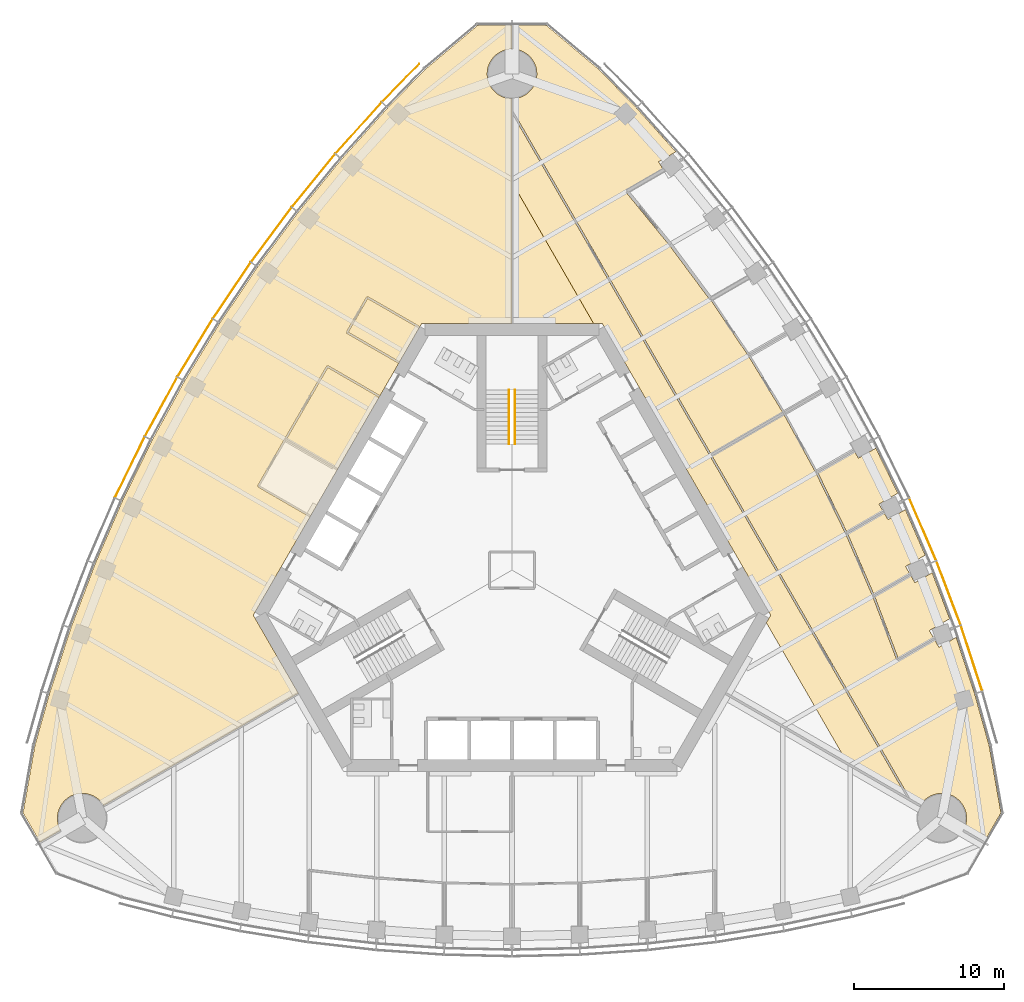
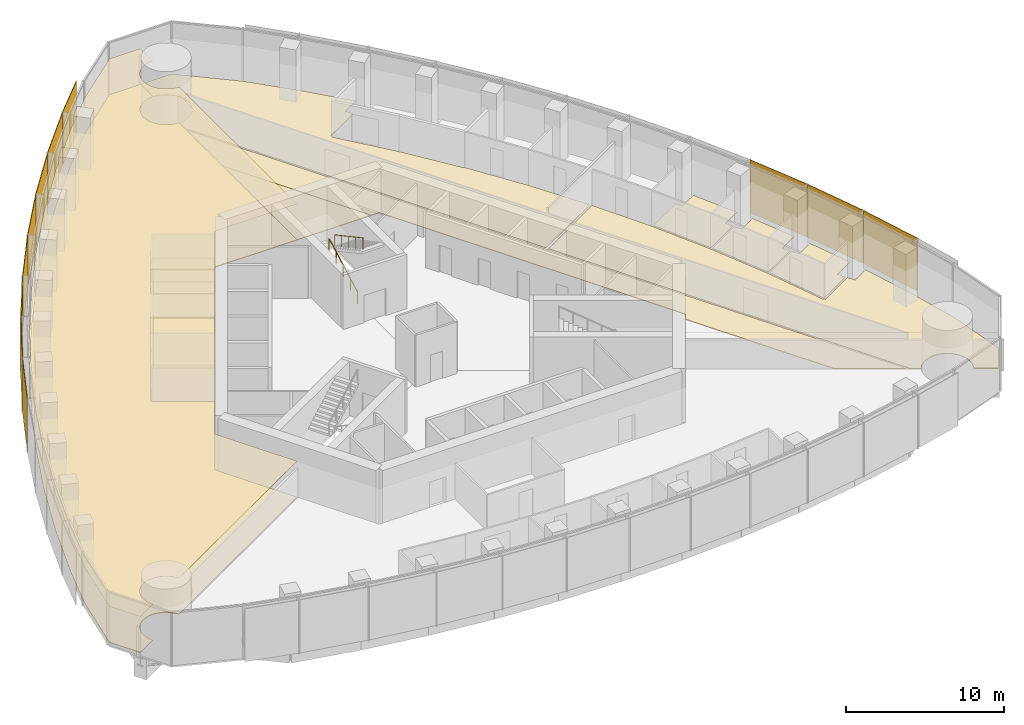
# One storey, part 17 of 20: 11 coverings, 11 shading devices, 2 railings.
"""IFC4 building model written with IfcOpenShell, lengths in metres."""

from ifc_helpers import new_model, si_unit, direction, frame, origin, origin_2d, place, context, subcontext, project, spatial, polyline, rectangle, circle, outline, extrude, material, layer, layer_set, type_object, element, save


model = new_model("IFC4")

# Units and contexts
model_context = context("Model", 3, precision=1e-05, world=origin(), true_north=direction((0.0, 1.0)))
body_context = subcontext(model_context, "Body", "Model", "MODEL_VIEW")
ifc_project = project(units=[si_unit("LENGTHUNIT", "METRE"), si_unit("AREAUNIT", "SQUARE_METRE"), si_unit("VOLUMEUNIT", "CUBIC_METRE"), si_unit("PLANEANGLEUNIT", "RADIAN"), si_unit("MASSUNIT", "GRAM", prefix="KILO")], contexts=[model_context])

# Site, building, storey
site_placement = place(None, origin())
site = spatial("IfcSite", under=ifc_project, at=site_placement, CompositionType="ELEMENT")
building_placement = place(site_placement, origin())
building = spatial("IfcBuilding", under=site, at=building_placement, Name="Trefoil Bronze Tower", CompositionType="ELEMENT")
storey_placement = place(building_placement, frame((0.0, 0.0, 210.699951171875)))
storey = spatial("IfcBuildingStorey", under=building, at=storey_placement, Name="L48", CompositionType="ELEMENT", Elevation=210.699951171875)

# Shading devices
ifc_material_1 = material(Name="Perforated bronze sheet", Category="bronze")
ifc_layer_1 = layer(ifc_material_1, 0.0400390625)
ifc_layer_set_1 = layer_set([ifc_layer_1], Name="Bronze solar screen panel")
shading_device_type = type_object("IfcShadingDeviceType", Name="Bronze solar screen panel", PredefinedType="SHUTTER", material=ifc_layer_set_1)
shading_device_1_placement = place(storey_placement, frame((30.5634765625, -5.86572265625, 0.050048828125), z_axis=(0.0, 0.0, 1.0), x_axis=(-0.310148591821, 0.950688093431, 0.0)))
element("IfcShadingDevice", 1, at=shading_device_1_placement, inside=storey, type_object=shading_device_type, Name="Solar screen CW-A L48 F2 bay 2", PredefinedType="SHUTTER", context=body_context, shape_type="SweptSolid", body=[
    extrude(rectangle(XDim=4.5693359375, YDim=0.0400390625, at=origin_2d()), origin(), (0.0, 0.0, 1.0), 4.10009765625),
])
shading_device_2_placement = place(storey_placement, frame((29.0341796875, -1.52392578125, 0.050048828125), z_axis=(0.0, 0.0, 1.0), x_axis=(-0.354233936517, 0.935156841508, 0.0)))
element("IfcShadingDevice", 2, at=shading_device_2_placement, inside=storey, type_object=shading_device_type, Name="Solar screen CW-A L48 F2 bay 3", PredefinedType="SHUTTER", context=body_context, shape_type="SweptSolid", body=[
    extrude(rectangle(XDim=4.529296875, YDim=0.0400390625, at=origin_2d()), origin(), (0.0, 0.0, 1.0), 4.10009765625),
])
shading_device_3_placement = place(storey_placement, frame((27.317626953125, 2.709716796875, 0.050048828125), z_axis=(0.0, 0.0, 1.0), x_axis=(-0.397220305764, 0.917723285467, 0.0)))
element("IfcShadingDevice", 3, at=shading_device_3_placement, inside=storey, type_object=shading_device_type, Name="Solar screen CW-A L48 F2 bay 4", PredefinedType="SHUTTER", context=body_context, shape_type="SweptSolid", body=[
    extrude(rectangle(XDim=4.5, YDim=0.0400390625, at=origin_2d()), origin(), (0.0, 0.0, 1.0), 4.10009765625),
])
shading_device_4_placement = place(storey_placement, frame((-7.40478515625, 32.40380859375, 0.050048828125), z_axis=(0.0, 0.0, 1.0), x_axis=(-0.698651812425, -0.715461840349, 0.0)))
element("IfcShadingDevice", 4, at=shading_device_4_placement, inside=storey, type_object=shading_device_type, Name="Solar screen CW-A L48 F3 bay 1", PredefinedType="SHUTTER", context=body_context, shape_type="SweptSolid", body=[
    extrude(rectangle(XDim=3.53369140625, YDim=0.0400390625, at=origin_2d()), origin(), (0.0, 0.0, 1.0), 4.10009765625),
])
shading_device_5_placement = place(storey_placement, frame((-10.20166015625, 29.401611328125, 0.050048828125), z_axis=(0.0, 0.0, 1.0), x_axis=(-0.668245744076, -0.743940606181, 0.0)))
element("IfcShadingDevice", 5, at=shading_device_5_placement, inside=storey, type_object=shading_device_type, Name="Solar screen CW-A L48 F3 bay 2", PredefinedType="SHUTTER", context=body_context, shape_type="SweptSolid", body=[
    extrude(rectangle(XDim=4.5693359375, YDim=0.0400390625, at=origin_2d()), origin(), (0.0, 0.0, 1.0), 4.10009765625),
])
shading_device_6_placement = place(storey_placement, frame((-13.197509765625, 25.90625, 0.050048828125), z_axis=(0.0, 0.0, 1.0), x_axis=(-0.63275261301, -0.774354008661, 0.0)))
element("IfcShadingDevice", 6, at=shading_device_6_placement, inside=storey, type_object=shading_device_type, Name="Solar screen CW-A L48 F3 bay 3", PredefinedType="SHUTTER", context=body_context, shape_type="SweptSolid", body=[
    extrude(rectangle(XDim=4.529296875, YDim=0.0400390625, at=origin_2d()), origin(), (0.0, 0.0, 1.0), 4.10009765625),
])
shading_device_7_placement = place(storey_placement, frame((-16.005615234375, 22.302734375, 0.050048828125), z_axis=(0.0, 0.0, 1.0), x_axis=(-0.596161525977, -0.802864518425, 0.0)))
element("IfcShadingDevice", 7, at=shading_device_7_placement, inside=storey, type_object=shading_device_type, Name="Solar screen CW-A L48 F3 bay 4", PredefinedType="SHUTTER", context=body_context, shape_type="SweptSolid", body=[
    extrude(rectangle(XDim=4.5, YDim=0.0400390625, at=origin_2d()), origin(), (0.0, 0.0, 1.0), 4.10009765625),
])
shading_device_8_placement = place(storey_placement, frame((-18.6298828125, 18.59326171875, 0.050048828125), z_axis=(0.0, 0.0, 1.0), x_axis=(-0.558493494706, -0.829508900718, 0.0)))
element("IfcShadingDevice", 8, at=shading_device_8_placement, inside=storey, type_object=shading_device_type, Name="Solar screen CW-A L48 F3 bay 5", PredefinedType="SHUTTER", context=body_context, shape_type="SweptSolid", body=[
    extrude(rectangle(XDim=4.480712890625, YDim=0.0400390625, at=origin_2d()), origin(), (0.0, 0.0, 1.0), 4.10009765625),
])
for number, where, z_axis, x_axis, name in (
    (9, (-21.07275390625, 14.77880859375, 0.050048828125), (0.0, 0.0, 1.0), (-0.519762112739, -0.854311035959, 0.0), "Solar screen CW-A L48 F3 bay 6"),
    (10, (-23.3349609375, 10.860107421875, 0.050048828125), (0.0, 0.0, 1.0), (-0.479974003504, -0.877282711536, 0.0), "Solar screen CW-A L48 F3 bay 7"),
):
    element("IfcShadingDevice", number, at=place(storey_placement, frame(where, z_axis=z_axis, x_axis=x_axis)), inside=storey, type_object=shading_device_type, Name=name, PredefinedType="SHUTTER", context=body_context, shape_type="SweptSolid", body=[
        extrude(rectangle(XDim=4.47119140625, YDim=0.0400390625, at=origin_2d()), origin(), (0.0, 0.0, 1.0), 4.10009765625),
    ])
shading_device_9_placement = place(storey_placement, frame((-25.4169921875, 6.83740234375, 0.050048828125), z_axis=(0.0, 0.0, 1.0), x_axis=(-0.439129033334, -0.898424004623, 0.0)))
element("IfcShadingDevice", 11, at=shading_device_9_placement, inside=storey, type_object=shading_device_type, Name="Solar screen CW-A L48 F3 bay 8", PredefinedType="SHUTTER", context=body_context, shape_type="SweptSolid", body=[
    extrude(rectangle(XDim=4.480712890625, YDim=0.0400390625, at=origin_2d()), origin(), (0.0, 0.0, 1.0), 4.10009765625),
])

# Railings
ifc_material_2 = material(Name="Steel handrail", Category="steel")
railing_type = type_object("IfcRailingType", Name="Handrail 900", PredefinedType="HANDRAIL", material=ifc_material_2)
railing_1_placement = place(storey_placement, frame((-0.199951171875, 8.389892578125, 0.16162109375)))
element("IfcRailing", 12, at=railing_1_placement, inside=storey, type_object=railing_type, Name="Handrail ST2 flight 1 L48", PredefinedType="HANDRAIL", context=body_context, shape_type="SweptSolid", body=[
    extrude(circle(Radius=0.02392578125, at=origin_2d()), frame((0.0, 0.0, 0.8759765625), z_axis=(0.0, 0.880474934443, 0.474092701714), x_axis=(-1.0, 0.0, 0.0)), (0.0, 0.0, 1.0), 4.0888671875),
    extrude(circle(Radius=0.02099609375, at=origin_2d()), origin(), (0.0, 0.0, 1.0), 0.851806640625),
    extrude(circle(Radius=0.02099609375, at=origin_2d()), frame((0.0, 0.89990234375, 0.484619140625)), (0.0, 0.0, 1.0), 0.851806640625),
    extrude(circle(Radius=0.02099609375, at=origin_2d()), frame((0.0, 1.800048828125, 0.96923828125)), (0.0, 0.0, 1.0), 0.851806640625),
    extrude(circle(Radius=0.02099609375, at=origin_2d()), frame((0.0, 2.7001953125, 1.453857421875)), (0.0, 0.0, 1.0), 0.851806640625),
    extrude(circle(Radius=0.02099609375, at=origin_2d()), frame((0.0, 3.60009765625, 1.9384765625)), (0.0, 0.0, 1.0), 0.851806640625),
])
railing_2_placement = place(storey_placement, frame((0.199951171875, 11.989990234375, 2.261474609375)))
element("IfcRailing", 13, at=railing_2_placement, inside=storey, type_object=railing_type, Name="Handrail ST2 flight 2 L48", PredefinedType="HANDRAIL", context=body_context, shape_type="SweptSolid", body=[
    extrude(circle(Radius=0.02392578125, at=origin_2d()), frame((0.0, 0.0, 0.8759765625), z_axis=(0.0, -0.880474934443, 0.474092701714), x_axis=(1.0, 0.0, 0.0)), (0.0, 0.0, 1.0), 4.0888671875),
    extrude(circle(Radius=0.02099609375, at=origin_2d()), origin(), (0.0, 0.0, 1.0), 0.851806640625),
    extrude(circle(Radius=0.02099609375, at=origin_2d()), frame((0.0, -0.89990234375, 0.484619140625)), (0.0, 0.0, 1.0), 0.851806640625),
    extrude(circle(Radius=0.02099609375, at=origin_2d()), frame((0.0, -1.800048828125, 0.96923828125)), (0.0, 0.0, 1.0), 0.851806640625),
    extrude(circle(Radius=0.02099609375, at=origin_2d()), frame((0.0, -2.7001953125, 1.453857421875)), (0.0, 0.0, 1.0), 0.851806640625),
    extrude(circle(Radius=0.02099609375, at=origin_2d()), frame((0.0, -3.60009765625, 1.9384765625)), (0.0, 0.0, 1.0), 0.851806640625),
])

# Coverings
ifc_material_3 = material(Name="Acoustic ceiling panels", Category="mineral fibre")
ifc_layer_2 = layer(ifc_material_3, 0.02001953125)
ifc_layer_set_2 = layer_set([ifc_layer_2], Name="Office ceiling 20")
covering_type_1 = type_object("IfcCoveringType", Name="Office ceiling 20", PredefinedType="CEILING", material=ifc_layer_set_2)
covering_1_placement = place(storey_placement, frame((0.0, 0.0, 2.900146484375)))
element("IfcCovering", 14, at=covering_1_placement, inside=storey, type_object=covering_type_1, Name="Ceiling L48 Open-plan office F3", PredefinedType="CEILING", context=body_context, shape_type="SweptSolid", body=[
    extrude(outline(polyline([(-30.76318359375, -8.219482421875), (-29.3369140625, -3.846923828125), (-27.7216796875, 0.416748046875), (-25.92236328125, 4.573974609375), (-23.94140625, 8.62646484375), (-21.781005859375, 12.5751953125), (-19.44140625, 16.420654296875), (-16.92236328125, 20.162353515625), (-14.2216796875, 23.79931640625), (-11.3369140625, 27.329833984375), (-8.26318359375, 30.751708984375), (-5.7734375, 33.30126953125), (-2.280029296875, 36.232666015625), (-0.013671875, 36.232666015625), (-0.012939453125, 34.649658203125), (-0.0810546875, 34.64794921875), (-0.16162109375, 34.64208984375), (-0.2421875, 34.632080078125), (-0.322021484375, 34.618408203125), (-0.40087890625, 34.6005859375), (-0.47900390625, 34.5791015625), (-0.555908203125, 34.553466796875), (-0.63134765625, 34.5244140625), (-0.70556640625, 34.49169921875), (-0.77783203125, 34.455078125), (-0.848388671875, 34.415283203125), (-0.916748046875, 34.371826171875), (-0.98291015625, 34.3251953125), (-1.046630859375, 34.275390625), (-1.108154296875, 34.22265625), (-1.166748046875, 34.166748046875), (-1.22265625, 34.108154296875), (-1.275390625, 34.046630859375), (-1.3251953125, 33.98291015625), (-1.371826171875, 33.916748046875), (-1.415283203125, 33.848388671875), (-1.455078125, 33.77783203125), (-1.49169921875, 33.70556640625), (-1.5244140625, 33.63134765625), (-1.553466796875, 33.555908203125), (-1.5791015625, 33.47900390625), (-1.6005859375, 33.40087890625), (-1.618408203125, 33.322021484375), (-1.632080078125, 33.2421875), (-1.64208984375, 33.16162109375), (-1.64794921875, 33.0810546875), (-1.64990234375, 33.0), (-1.64794921875, 32.9189453125), (-1.64208984375, 32.83837890625), (-1.632080078125, 32.7578125), (-1.618408203125, 32.677978515625), (-1.6005859375, 32.59912109375), (-1.5791015625, 32.52099609375), (-1.553466796875, 32.444091796875), (-1.5244140625, 32.36865234375), (-1.49169921875, 32.29443359375), (-1.455078125, 32.22216796875), (-1.415283203125, 32.151611328125), (-1.371826171875, 32.083251953125), (-1.3251953125, 32.01708984375), (-1.275390625, 31.953369140625), (-1.22265625, 31.891845703125), (-1.166748046875, 31.833251953125), (-1.108154296875, 31.77734375), (-1.046630859375, 31.724609375), (-0.98291015625, 31.6748046875), (-0.916748046875, 31.628173828125), (-0.848388671875, 31.584716796875), (-0.77783203125, 31.544921875), (-0.70556640625, 31.50830078125), (-0.63134765625, 31.4755859375), (-0.555908203125, 31.446533203125), (-0.47900390625, 31.4208984375), (-0.40087890625, 31.3994140625), (-0.322021484375, 31.381591796875), (-0.2421875, 31.367919921875), (-0.16162109375, 31.35791015625), (-0.0810546875, 31.35205078125), (-0.01171875, 31.350341796875), (-0.006103515625, 16.39990234375), (-6.00439453125, 16.39990234375), (-17.205078125, -3.0), (-14.205810546875, -8.194580078125), (-27.156005859375, -15.6650390625), (-27.206787109375, -15.583251953125), (-27.25341796875, -15.51708984375), (-27.303466796875, -15.453369140625), (-27.356201171875, -15.391845703125), (-27.412109375, -15.333251953125), (-27.470703125, -15.27734375), (-27.531982421875, -15.224609375), (-27.595947265625, -15.1748046875), (-27.662109375, -15.128173828125), (-27.730712890625, -15.084716796875), (-27.801025390625, -15.044921875), (-27.873291015625, -15.00830078125), (-27.947509765625, -14.9755859375), (-28.02294921875, -14.946533203125), (-28.099853515625, -14.9208984375), (-28.177978515625, -14.8994140625), (-28.2568359375, -14.881591796875), (-28.336669921875, -14.867919921875), (-28.4169921875, -14.85791015625), (-28.497802734375, -14.85205078125), (-28.578857421875, -14.85009765625), (-28.659912109375, -14.85205078125), (-28.740478515625, -14.85791015625), (-28.82080078125, -14.867919921875), (-28.900634765625, -14.881591796875), (-28.979736328125, -14.8994140625), (-29.057861328125, -14.9208984375), (-29.134765625, -14.946533203125), (-29.210205078125, -14.9755859375), (-29.2841796875, -15.00830078125), (-29.356689453125, -15.044921875), (-29.427001953125, -15.084716796875), (-29.49560546875, -15.128173828125), (-29.561767578125, -15.1748046875), (-29.62548828125, -15.224609375), (-29.68701171875, -15.27734375), (-29.74560546875, -15.333251953125), (-29.801513671875, -15.391845703125), (-29.854248046875, -15.453369140625), (-29.904052734375, -15.51708984375), (-29.95068359375, -15.583251953125), (-29.994140625, -15.651611328125), (-30.033935546875, -15.72216796875), (-30.0703125, -15.79443359375), (-30.103271484375, -15.86865234375), (-30.13232421875, -15.944091796875), (-30.15771484375, -16.02099609375), (-30.179443359375, -16.09912109375), (-30.197021484375, -16.177978515625), (-30.2109375, -16.2578125), (-30.220947265625, -16.33837890625), (-30.226806640625, -16.4189453125), (-30.228759765625, -16.5), (-30.226806640625, -16.5810546875), (-30.220947265625, -16.66162109375), (-30.2109375, -16.7421875), (-30.197021484375, -16.822021484375), (-30.179443359375, -16.90087890625), (-30.15771484375, -16.97900390625), (-30.13232421875, -17.055908203125), (-30.103271484375, -17.13134765625), (-30.0703125, -17.20556640625), (-30.033935546875, -17.27783203125), (-30.013916015625, -17.3134765625), (-31.385009765625, -18.1044921875), (-32.518310546875, -16.1416015625), (-31.7265625, -11.650634765625), (-30.76318359375, -8.219482421875)])), origin(), (0.0, 0.0, 1.0), 0.02001953125),
])
ifc_material_4 = material(Name="Raised access floor panels", Category="steel")
ifc_layer_3 = layer(ifc_material_4, 0.050048828125)
ifc_layer_set_3 = layer_set([ifc_layer_3], Name="Raised access floor 150")
covering_type_2 = type_object("IfcCoveringType", Name="Raised access floor 150", PredefinedType="FLOORING", material=ifc_layer_set_3)
covering_2_placement = place(storey_placement, frame((0.0, 0.0, 0.10009765625)))
element("IfcCovering", 15, at=covering_2_placement, inside=storey, type_object=covering_type_2, Name="Raised floor L48 Office F2", PredefinedType="FLOORING", context=body_context, shape_type="SweptSolid", body=[
    extrude(outline(polyline([(24.677490234375, 3.924560546875), (22.267333984375, 2.533203125), (20.33935546875, 6.4775390625), (22.775146484375, 7.8837890625), (22.7451171875, 7.935791015625), (22.74951171875, 7.938232421875), (23.037353515625, 7.439697265625), (24.195068359375, 8.10791015625), (25.658447265625, 5.11376953125), (24.407958984375, 4.3916015625), (24.677490234375, 3.924560546875)])), origin(), (0.0, 0.0, 1.0), 0.050048828125),
])
covering_3_placement = place(storey_placement, frame((0.0, 0.0, 0.10009765625)))
element("IfcCovering", 16, at=covering_3_placement, inside=storey, type_object=covering_type_2, Name="Raised floor L48 Meeting room F2", PredefinedType="FLOORING", context=body_context, shape_type="SweptSolid", body=[
    extrude(outline(polyline([(26.453857421875, -0.24609375), (24.0693359375, -1.622802734375), (22.318115234375, 2.423583984375), (24.737548828125, 3.820556640625), (25.007080078125, 3.353515625), (26.162109375, 4.020263671875), (27.47314453125, 0.990966796875), (26.173095703125, 0.240478515625), (26.453857421875, -0.24609375)])), origin(), (0.0, 0.0, 1.0), 0.050048828125),
])
covering_4_placement = place(storey_placement, frame((0.0, 0.0, 0.10009765625)))
element("IfcCovering", 17, at=covering_4_placement, inside=storey, type_object=covering_type_2, Name="Raised floor L48 Meeting room F2", PredefinedType="FLOORING", context=body_context, shape_type="SweptSolid", body=[
    extrude(outline(polyline([(28.045166015625, -4.5234375), (25.687255859375, -5.884765625), (24.115234375, -1.73486328125), (26.513916015625, -0.35009765625), (26.794677734375, -0.83642578125), (27.94482421875, -0.17236328125), (29.106201171875, -3.23779296875), (27.75390625, -4.0185546875), (28.045166015625, -4.5234375)])), origin(), (0.0, 0.0, 1.0), 0.050048828125),
])
covering_5_placement = place(storey_placement, frame((0.0, 0.0, 0.10009765625)))
element("IfcCovering", 18, at=covering_5_placement, inside=storey, type_object=covering_type_2, Name="Raised floor L48 Corridor F2", PredefinedType="FLOORING", context=body_context, shape_type="SweptSolid", body=[
    extrude(outline(polyline([(0.011474609375, 30.38037109375), (26.31591796875, -15.180419921875), (22.333740234375, -12.88330078125), (16.91650390625, -3.5), (17.205078125, -3.0), (6.00439453125, 16.39990234375), (5.427001953125, 16.39990234375), (0.009765625, 25.783203125), (0.011474609375, 30.38037109375)])), origin(), (0.0, 0.0, 1.0), 0.050048828125),
])
covering_6_placement = place(storey_placement, frame((0.0, 0.0, 0.10009765625)))
element("IfcCovering", 19, at=covering_6_placement, inside=storey, type_object=covering_type_2, Name="Raised floor L48 Open-plan office F2", PredefinedType="FLOORING", context=body_context, shape_type="SweptSolid", body=[
    extrude(outline(polyline([(26.40966796875, -15.234375), (26.466552734375, -15.201416015625), (13.304931640625, 7.594970703125), (18.08447265625, 10.3544921875), (20.20751953125, 6.473876953125), (22.187255859375, 2.423828125), (23.985595703125, -1.73095703125), (25.60009765625, -5.993408203125), (25.65625, -5.971923828125), (25.686279296875, -6.02392578125), (28.105224609375, -4.627197265625), (28.396728515625, -5.132080078125), (29.54052734375, -4.4716796875), (30.76318359375, -8.219482421875), (31.7265625, -11.650634765625), (32.518310546875, -16.1416015625), (31.385009765625, -18.1044921875), (30.013916015625, -17.3134765625), (30.033935546875, -17.27783203125), (30.0703125, -17.20556640625), (30.103271484375, -17.13134765625), (30.13232421875, -17.055908203125), (30.15771484375, -16.97900390625), (30.179443359375, -16.90087890625), (30.197021484375, -16.822021484375), (30.2109375, -16.7421875), (30.220947265625, -16.66162109375), (30.226806640625, -16.5810546875), (30.228759765625, -16.5), (30.226806640625, -16.4189453125), (30.220947265625, -16.33837890625), (30.2109375, -16.2578125), (30.197021484375, -16.177978515625), (30.179443359375, -16.09912109375), (30.15771484375, -16.02099609375), (30.13232421875, -15.944091796875), (30.103271484375, -15.86865234375), (30.0703125, -15.79443359375), (30.033935546875, -15.72216796875), (29.994140625, -15.651611328125), (29.95068359375, -15.583251953125), (29.904052734375, -15.51708984375), (29.854248046875, -15.453369140625), (29.801513671875, -15.391845703125), (29.74560546875, -15.333251953125), (29.68701171875, -15.27734375), (29.62548828125, -15.224609375), (29.561767578125, -15.1748046875), (29.49560546875, -15.128173828125), (29.427001953125, -15.084716796875), (29.356689453125, -15.044921875), (29.2841796875, -15.00830078125), (29.210205078125, -14.9755859375), (29.134765625, -14.946533203125), (29.057861328125, -14.9208984375), (28.979736328125, -14.8994140625), (28.900634765625, -14.881591796875), (28.82080078125, -14.867919921875), (28.740478515625, -14.85791015625), (28.659912109375, -14.85205078125), (28.578857421875, -14.85009765625), (28.497802734375, -14.85205078125), (28.4169921875, -14.85791015625), (28.336669921875, -14.867919921875), (28.2568359375, -14.881591796875), (28.177978515625, -14.8994140625), (28.099853515625, -14.9208984375), (28.02294921875, -14.946533203125), (27.947509765625, -14.9755859375), (27.873291015625, -15.00830078125), (27.801025390625, -15.044921875), (27.730712890625, -15.084716796875), (27.662109375, -15.128173828125), (27.595947265625, -15.1748046875), (27.531982421875, -15.224609375), (27.470703125, -15.27734375), (27.412109375, -15.333251953125), (27.356201171875, -15.391845703125), (27.303466796875, -15.453369140625), (27.25341796875, -15.51708984375), (27.206787109375, -15.583251953125), (27.156005859375, -15.6650390625), (26.40966796875, -15.234375)])), origin(), (0.0, 0.0, 1.0), 0.050048828125),
])
covering_7_placement = place(storey_placement, frame((0.0, 0.0, 0.10009765625)))
element("IfcCovering", 20, at=covering_7_placement, inside=storey, type_object=covering_type_2, Name="Raised floor L48 Open-plan office F2", PredefinedType="FLOORING", context=body_context, shape_type="SweptSolid", body=[
    extrude(outline(polyline([(0.012939453125, 34.649658203125), (0.013671875, 36.232666015625), (2.280029296875, 36.232666015625), (5.7734375, 33.30126953125), (8.26318359375, 30.751708984375), (10.897705078125, 27.81884765625), (9.75390625, 27.158203125), (10.025146484375, 26.68798828125), (7.606201171875, 25.29150390625), (7.65625, 25.204833984375), (7.578857421875, 25.1416015625), (10.31494140625, 21.793212890625), (10.60009765625, 21.42724609375), (13.161376953125, 17.977783203125), (13.193603515625, 18.001708984375), (15.71044921875, 14.263427734375), (18.009521484375, 10.484375), (13.22998046875, 7.72509765625), (0.068359375, 30.521484375), (0.011474609375, 30.488525390625), (0.01171875, 31.350341796875), (0.0810546875, 31.35205078125), (0.16162109375, 31.35791015625), (0.2421875, 31.367919921875), (0.322021484375, 31.381591796875), (0.40087890625, 31.3994140625), (0.47900390625, 31.4208984375), (0.555908203125, 31.446533203125), (0.63134765625, 31.4755859375), (0.70556640625, 31.50830078125), (0.77783203125, 31.544921875), (0.848388671875, 31.584716796875), (0.916748046875, 31.628173828125), (0.98291015625, 31.6748046875), (1.046630859375, 31.724609375), (1.108154296875, 31.77734375), (1.166748046875, 31.833251953125), (1.22265625, 31.891845703125), (1.275390625, 31.953369140625), (1.3251953125, 32.01708984375), (1.371826171875, 32.083251953125), (1.415283203125, 32.151611328125), (1.455078125, 32.22216796875), (1.49169921875, 32.29443359375), (1.5244140625, 32.36865234375), (1.553466796875, 32.444091796875), (1.5791015625, 32.52099609375), (1.6005859375, 32.59912109375), (1.618408203125, 32.677978515625), (1.632080078125, 32.7578125), (1.64208984375, 32.83837890625), (1.64794921875, 32.9189453125), (1.64990234375, 33.0), (1.64794921875, 33.0810546875), (1.64208984375, 33.16162109375), (1.632080078125, 33.2421875), (1.618408203125, 33.322021484375), (1.6005859375, 33.40087890625), (1.5791015625, 33.47900390625), (1.553466796875, 33.555908203125), (1.5244140625, 33.63134765625), (1.49169921875, 33.70556640625), (1.455078125, 33.77783203125), (1.415283203125, 33.848388671875), (1.371826171875, 33.916748046875), (1.3251953125, 33.98291015625), (1.275390625, 34.046630859375), (1.22265625, 34.108154296875), (1.166748046875, 34.166748046875), (1.108154296875, 34.22265625), (1.046630859375, 34.275390625), (0.98291015625, 34.3251953125), (0.916748046875, 34.371826171875), (0.848388671875, 34.415283203125), (0.77783203125, 34.455078125), (0.70556640625, 34.49169921875), (0.63134765625, 34.5244140625), (0.555908203125, 34.553466796875), (0.47900390625, 34.5791015625), (0.40087890625, 34.6005859375), (0.322021484375, 34.618408203125), (0.2421875, 34.632080078125), (0.16162109375, 34.64208984375), (0.0810546875, 34.64794921875), (0.012939453125, 34.649658203125)])), origin(), (0.0, 0.0, 1.0), 0.050048828125),
])
covering_8_placement = place(storey_placement, frame((0.0, 0.0, 0.10009765625)))
element("IfcCovering", 21, at=covering_8_placement, inside=storey, type_object=covering_type_2, Name="Raised floor L48 Open-plan office F2", PredefinedType="FLOORING", context=body_context, shape_type="SweptSolid", body=[
    extrude(outline(polyline([(0.006103515625, 16.39990234375), (0.009765625, 25.783203125), (5.427001953125, 16.39990234375), (0.006103515625, 16.39990234375)])), origin(), (0.0, 0.0, 1.0), 0.050048828125),
])
covering_9_placement = place(storey_placement, frame((0.0, 0.0, 0.10009765625)))
element("IfcCovering", 22, at=covering_9_placement, inside=storey, type_object=covering_type_2, Name="Raised floor L48 Meeting room F3", PredefinedType="FLOORING", context=body_context, shape_type="SweptSolid", body=[
    extrude(outline(polyline([(-11.57470703125, 6.751953125), (-14.98681640625, 8.721923828125), (-12.246826171875, 13.4677734375), (-8.834716796875, 11.497802734375), (-11.57470703125, 6.751953125)])), origin(), (0.0, 0.0, 1.0), 0.050048828125),
])
covering_10_placement = place(storey_placement, frame((0.0, 0.0, 0.10009765625)))
element("IfcCovering", 23, at=covering_10_placement, inside=storey, type_object=covering_type_2, Name="Raised floor L48 Pantry F3", PredefinedType="FLOORING", context=body_context, shape_type="SweptSolid", body=[
    extrude(outline(polyline([(-7.474609375, 13.853515625), (-10.886962890625, 15.823486328125), (-9.596923828125, 18.0576171875), (-6.184814453125, 16.087646484375), (-7.474609375, 13.853515625)])), origin(), (0.0, 0.0, 1.0), 0.050048828125),
])
covering_11_placement = place(storey_placement, frame((0.0, 0.0, 0.10009765625)))
element("IfcCovering", 24, at=covering_11_placement, inside=storey, type_object=covering_type_2, Name="Raised floor L48 Open-plan office F3", PredefinedType="FLOORING", context=body_context, shape_type="SweptSolid", body=[
    extrude(outline(polyline([(-6.00439453125, 16.39990234375), (-6.124755859375, 16.191650390625), (-9.5888671875, 18.191650390625), (-9.618896484375, 18.1396484375), (-9.6708984375, 18.169677734375), (-11.020751953125, 15.831298828125), (-10.96875, 15.801513671875), (-10.998779296875, 15.74951171875), (-7.53466796875, 13.74951171875), (-8.774658203125, 11.601806640625), (-12.23876953125, 13.601806640625), (-12.268798828125, 13.5498046875), (-12.32080078125, 13.57958984375), (-16.9208984375, 5.6123046875), (-16.868896484375, 5.582275390625), (-16.898681640625, 5.5302734375), (-13.434814453125, 3.5302734375), (-17.205078125, -3.0), (-14.205810546875, -8.194580078125), (-27.156005859375, -15.6650390625), (-27.206787109375, -15.583251953125), (-27.25341796875, -15.51708984375), (-27.303466796875, -15.453369140625), (-27.356201171875, -15.391845703125), (-27.412109375, -15.333251953125), (-27.470703125, -15.27734375), (-27.531982421875, -15.224609375), (-27.595947265625, -15.1748046875), (-27.662109375, -15.128173828125), (-27.730712890625, -15.084716796875), (-27.801025390625, -15.044921875), (-27.873291015625, -15.00830078125), (-27.947509765625, -14.9755859375), (-28.02294921875, -14.946533203125), (-28.099853515625, -14.9208984375), (-28.177978515625, -14.8994140625), (-28.2568359375, -14.881591796875), (-28.336669921875, -14.867919921875), (-28.4169921875, -14.85791015625), (-28.497802734375, -14.85205078125), (-28.578857421875, -14.85009765625), (-28.659912109375, -14.85205078125), (-28.740478515625, -14.85791015625), (-28.82080078125, -14.867919921875), (-28.900634765625, -14.881591796875), (-28.979736328125, -14.8994140625), (-29.057861328125, -14.9208984375), (-29.134765625, -14.946533203125), (-29.210205078125, -14.9755859375), (-29.2841796875, -15.00830078125), (-29.356689453125, -15.044921875), (-29.427001953125, -15.084716796875), (-29.49560546875, -15.128173828125), (-29.561767578125, -15.1748046875), (-29.62548828125, -15.224609375), (-29.68701171875, -15.27734375), (-29.74560546875, -15.333251953125), (-29.801513671875, -15.391845703125), (-29.854248046875, -15.453369140625), (-29.904052734375, -15.51708984375), (-29.95068359375, -15.583251953125), (-29.994140625, -15.651611328125), (-30.033935546875, -15.72216796875), (-30.0703125, -15.79443359375), (-30.103271484375, -15.86865234375), (-30.13232421875, -15.944091796875), (-30.15771484375, -16.02099609375), (-30.179443359375, -16.09912109375), (-30.197021484375, -16.177978515625), (-30.2109375, -16.2578125), (-30.220947265625, -16.33837890625), (-30.226806640625, -16.4189453125), (-30.228759765625, -16.5), (-30.226806640625, -16.5810546875), (-30.220947265625, -16.66162109375), (-30.2109375, -16.7421875), (-30.197021484375, -16.822021484375), (-30.179443359375, -16.90087890625), (-30.15771484375, -16.97900390625), (-30.13232421875, -17.055908203125), (-30.103271484375, -17.13134765625), (-30.0703125, -17.20556640625), (-30.033935546875, -17.27783203125), (-30.013916015625, -17.3134765625), (-31.385009765625, -18.1044921875), (-32.518310546875, -16.1416015625), (-31.7265625, -11.650634765625), (-30.76318359375, -8.219482421875), (-29.3369140625, -3.846923828125), (-27.7216796875, 0.416748046875), (-25.92236328125, 4.573974609375), (-23.94140625, 8.62646484375), (-21.781005859375, 12.5751953125), (-19.44140625, 16.420654296875), (-16.92236328125, 20.162353515625), (-14.2216796875, 23.79931640625), (-11.3369140625, 27.329833984375), (-8.26318359375, 30.751708984375), (-5.7734375, 33.30126953125), (-2.280029296875, 36.232666015625), (-0.013671875, 36.232666015625), (-0.012939453125, 34.649658203125), (-0.0810546875, 34.64794921875), (-0.16162109375, 34.64208984375), (-0.2421875, 34.632080078125), (-0.322021484375, 34.618408203125), (-0.40087890625, 34.6005859375), (-0.47900390625, 34.5791015625), (-0.555908203125, 34.553466796875), (-0.63134765625, 34.5244140625), (-0.70556640625, 34.49169921875), (-0.77783203125, 34.455078125), (-0.848388671875, 34.415283203125), (-0.916748046875, 34.371826171875), (-0.98291015625, 34.3251953125), (-1.046630859375, 34.275390625), (-1.108154296875, 34.22265625), (-1.166748046875, 34.166748046875), (-1.22265625, 34.108154296875), (-1.275390625, 34.046630859375), (-1.3251953125, 33.98291015625), (-1.371826171875, 33.916748046875), (-1.415283203125, 33.848388671875), (-1.455078125, 33.77783203125), (-1.49169921875, 33.70556640625), (-1.5244140625, 33.63134765625), (-1.553466796875, 33.555908203125), (-1.5791015625, 33.47900390625), (-1.6005859375, 33.40087890625), (-1.618408203125, 33.322021484375), (-1.632080078125, 33.2421875), (-1.64208984375, 33.16162109375), (-1.64794921875, 33.0810546875), (-1.64990234375, 33.0), (-1.64794921875, 32.9189453125), (-1.64208984375, 32.83837890625), (-1.632080078125, 32.7578125), (-1.618408203125, 32.677978515625), (-1.6005859375, 32.59912109375), (-1.5791015625, 32.52099609375), (-1.553466796875, 32.444091796875), (-1.5244140625, 32.36865234375), (-1.49169921875, 32.29443359375), (-1.455078125, 32.22216796875), (-1.415283203125, 32.151611328125), (-1.371826171875, 32.083251953125), (-1.3251953125, 32.01708984375), (-1.275390625, 31.953369140625), (-1.22265625, 31.891845703125), (-1.166748046875, 31.833251953125), (-1.108154296875, 31.77734375), (-1.046630859375, 31.724609375), (-0.98291015625, 31.6748046875), (-0.916748046875, 31.628173828125), (-0.848388671875, 31.584716796875), (-0.77783203125, 31.544921875), (-0.70556640625, 31.50830078125), (-0.63134765625, 31.4755859375), (-0.555908203125, 31.446533203125), (-0.47900390625, 31.4208984375), (-0.40087890625, 31.3994140625), (-0.322021484375, 31.381591796875), (-0.2421875, 31.367919921875), (-0.16162109375, 31.35791015625), (-0.0810546875, 31.35205078125), (-0.01171875, 31.350341796875), (-0.006103515625, 16.39990234375), (-6.00439453125, 16.39990234375)])), origin(), (0.0, 0.0, 1.0), 0.050048828125),
])

save(model, "model.ifc")
